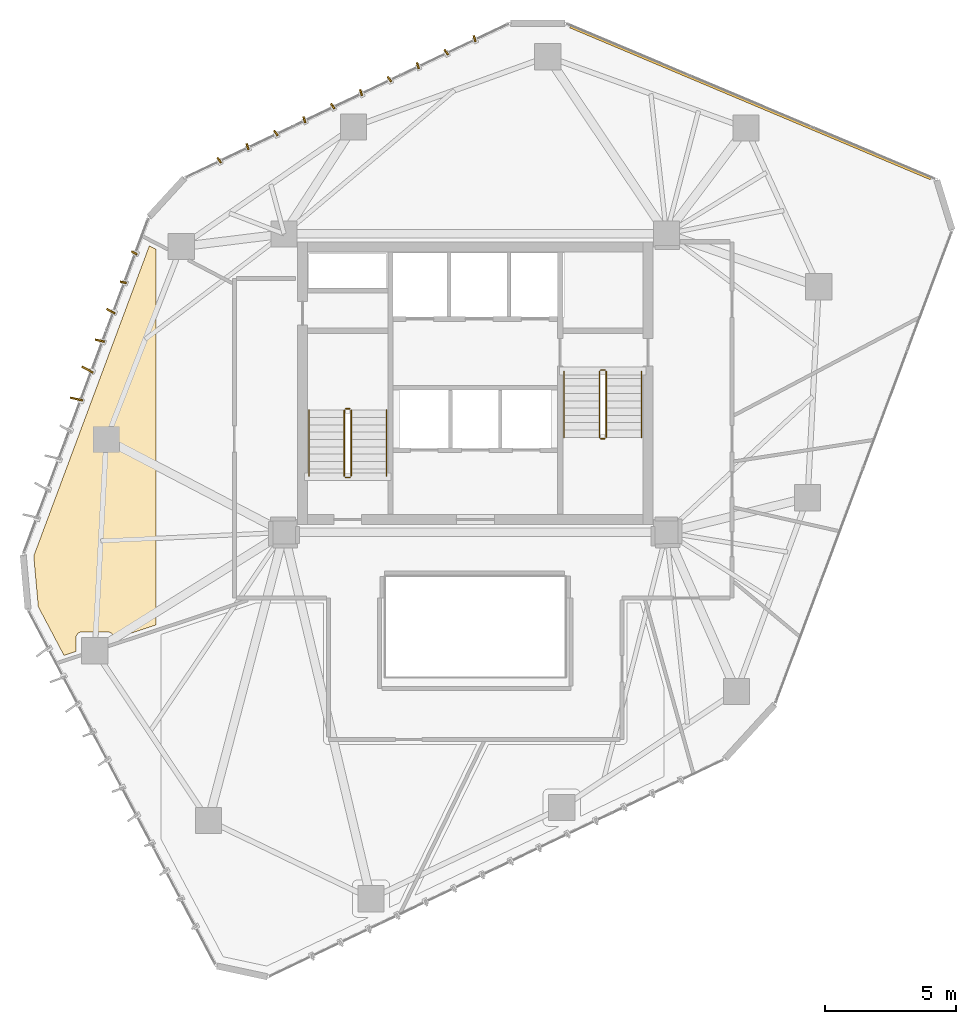
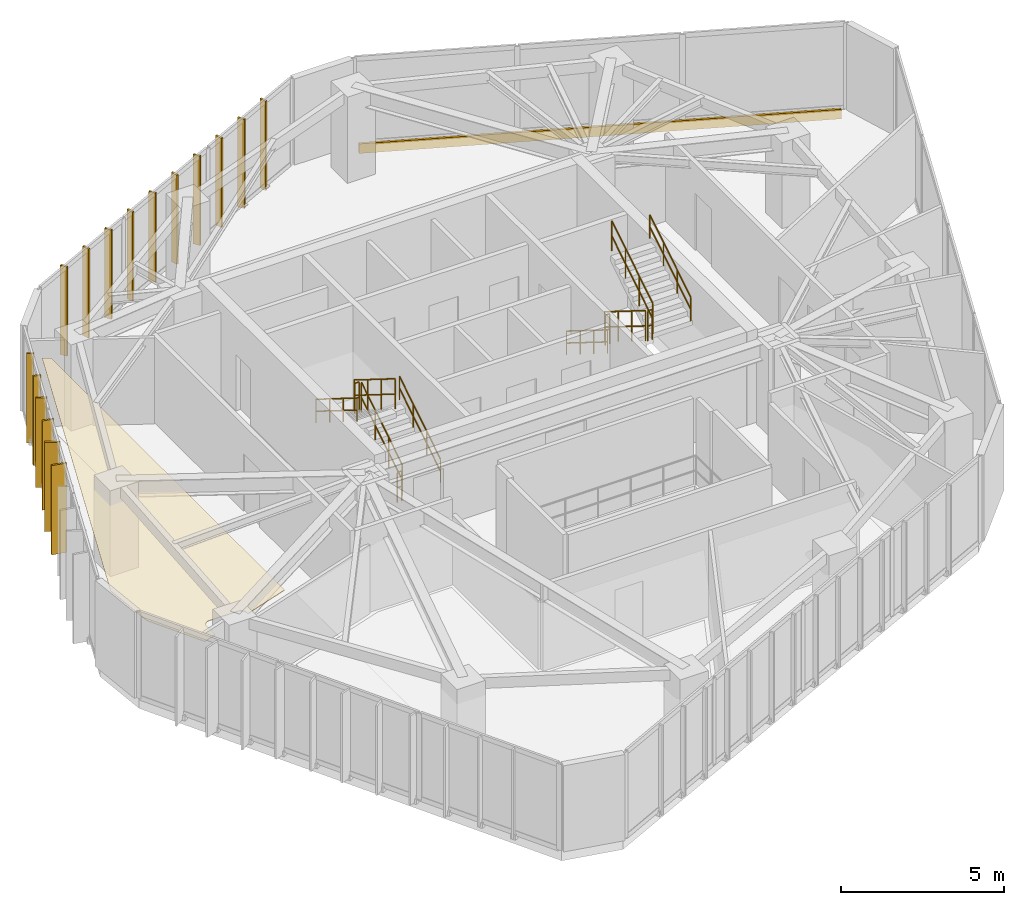
# One storey, part 18 of 18: 16 shading devices, 12 railings, 2 coverings.
"""IFC4 building model written with IfcOpenShell, lengths in metres."""

from ifc_helpers import new_model, si_unit, direction, frame, origin, origin_2d, place, context, subcontext, project, spatial, polyline, rectangle, circle, outline, extrude, source, transform, mapped, material, layer, layer_set, type_object, type_shapes, element, save


model = new_model("IFC4")

# Units and contexts
model_context = context("Model", 3, precision=1e-05, world=origin(), true_north=direction((0.0, 1.0)))
body_context = subcontext(model_context, "Body", "Model", "MODEL_VIEW")
ifc_project = project(units=[si_unit("LENGTHUNIT", "METRE"), si_unit("AREAUNIT", "SQUARE_METRE"), si_unit("VOLUMEUNIT", "CUBIC_METRE"), si_unit("PLANEANGLEUNIT", "RADIAN"), si_unit("MASSUNIT", "GRAM", prefix="KILO")], contexts=[model_context])

# Site, building, storey
site_placement = place(None, origin())
site = spatial("IfcSite", under=ifc_project, at=site_placement, CompositionType="ELEMENT")
building_placement = place(site_placement, origin())
building = spatial("IfcBuilding", under=site, at=building_placement, Name="Talar Marvaseh", CompositionType="ELEMENT")
storey_placement = place(building_placement, frame((0.0, 0.0, 167.0)))
storey = spatial("IfcBuildingStorey", under=building, at=storey_placement, Name="L43", CompositionType="ELEMENT", Elevation=167.0)

# Railings
ifc_material_1 = material(Name="Stainless Steel Grade 316", Category="steel")
railing_type_1 = type_object("IfcRailingType", Name="Brushed Stainless Wall Pitch Handrail 900", PredefinedType="HANDRAIL", material=ifc_material_1)
railing_1_placement = place(storey_placement, frame((22.610107421875, 27.64990234375, 0.175048828125)))
element("IfcRailing", 1, at=railing_1_placement, inside=storey, type_object=railing_type_1, Name="L43 ST-1 stair handrail 1", PredefinedType="HANDRAIL", context=body_context, shape_type="SweptSolid", body=[
    extrude(circle(Radius=0.02392578125, at=origin_2d()), frame((0.0, 0.0, 0.8759765625), z_axis=(0.0, 0.848007534815, 0.529984170421), x_axis=(-1.0, 0.0, 0.0)), (0.0, 0.0, 1.0), 2.9716796875),
    extrude(circle(Radius=0.02392578125, at=origin_2d()), frame((0.0, 0.0, 0.42578125), z_axis=(0.0, 0.848007534815, 0.529984170421), x_axis=(-1.0, 0.0, 0.0)), (0.0, 0.0, 1.0), 2.9716796875),
    extrude(circle(Radius=0.02099609375, at=origin_2d()), origin(), (0.0, 0.0, 1.0), 0.851806640625),
    extrude(circle(Radius=0.02099609375, at=origin_2d()), frame((0.0, 0.840087890625, 0.52490234375)), (0.0, 0.0, 1.0), 0.851806640625),
    extrude(circle(Radius=0.02099609375, at=origin_2d()), frame((0.0, 1.679931640625, 1.050048828125)), (0.0, 0.0, 1.0), 0.851806640625),
    extrude(circle(Radius=0.02099609375, at=origin_2d()), frame((0.0, 2.52001953125, 1.574951171875)), (0.0, 0.0, 1.0), 0.851806640625),
])
for number, where, name in (
    (2, (19.64990234375, 30.169921875, 1.925048828125), "L43 ST-1 stair handrail 2"),
    (3, (29.389892578125, 31.64990234375, 0.175048828125), "L43 ST-2 stair handrail 1"),
):
    element("IfcRailing", number, at=place(storey_placement, frame(where)), inside=storey, type_object=railing_type_1, Name=name, PredefinedType="HANDRAIL", context=body_context, shape_type="SweptSolid", body=[
        extrude(circle(Radius=0.02392578125, at=origin_2d()), frame((0.0, 0.0, 0.8759765625), z_axis=(0.0, -0.848007534815, 0.529984170421), x_axis=(1.0, 0.0, 0.0)), (0.0, 0.0, 1.0), 2.9716796875),
        extrude(circle(Radius=0.02392578125, at=origin_2d()), frame((0.0, 0.0, 0.42578125), z_axis=(0.0, -0.848007534815, 0.529984170421), x_axis=(1.0, 0.0, 0.0)), (0.0, 0.0, 1.0), 2.9716796875),
        extrude(circle(Radius=0.02099609375, at=origin_2d()), origin(), (0.0, 0.0, 1.0), 0.851806640625),
        extrude(circle(Radius=0.02099609375, at=origin_2d()), frame((0.0, -0.840087890625, 0.52490234375)), (0.0, 0.0, 1.0), 0.851806640625),
        extrude(circle(Radius=0.02099609375, at=origin_2d()), frame((0.0, -1.679931640625, 1.050048828125)), (0.0, 0.0, 1.0), 0.851806640625),
        extrude(circle(Radius=0.02099609375, at=origin_2d()), frame((0.0, -2.52001953125, 1.574951171875)), (0.0, 0.0, 1.0), 0.851806640625),
    ])
railing_2_placement = place(storey_placement, frame((32.35009765625, 29.1298828125, 1.925048828125)))
element("IfcRailing", 4, at=railing_2_placement, inside=storey, type_object=railing_type_1, Name="L43 ST-2 stair handrail 2", PredefinedType="HANDRAIL", context=body_context, shape_type="SweptSolid", body=[
    extrude(circle(Radius=0.02392578125, at=origin_2d()), frame((0.0, 0.0, 0.8759765625), z_axis=(0.0, 0.848007534815, 0.529984170421), x_axis=(-1.0, 0.0, 0.0)), (0.0, 0.0, 1.0), 2.9716796875),
    extrude(circle(Radius=0.02392578125, at=origin_2d()), frame((0.0, 0.0, 0.42578125), z_axis=(0.0, 0.848007534815, 0.529984170421), x_axis=(-1.0, 0.0, 0.0)), (0.0, 0.0, 1.0), 2.9716796875),
    extrude(circle(Radius=0.02099609375, at=origin_2d()), origin(), (0.0, 0.0, 1.0), 0.851806640625),
    extrude(circle(Radius=0.02099609375, at=origin_2d()), frame((0.0, 0.840087890625, 0.52490234375)), (0.0, 0.0, 1.0), 0.851806640625),
    extrude(circle(Radius=0.02099609375, at=origin_2d()), frame((0.0, 1.679931640625, 1.050048828125)), (0.0, 0.0, 1.0), 0.851806640625),
    extrude(circle(Radius=0.02099609375, at=origin_2d()), frame((0.0, 2.52001953125, 1.574951171875)), (0.0, 0.0, 1.0), 0.851806640625),
])
railing_type_2 = type_object("IfcRailingType", Name="Painted Steel Core Stair Well Guardrail 1150", PredefinedType="GUARDRAIL", material=ifc_material_1)
railing_3_placement = place(storey_placement, frame((21.260009765625, 27.64990234375, 0.175048828125)))
element("IfcRailing", 5, at=railing_3_placement, inside=storey, type_object=railing_type_2, Name="L43 ST-1 stair guard 1", PredefinedType="GUARDRAIL", context=body_context, shape_type="SweptSolid", body=[
    extrude(circle(Radius=0.02392578125, at=origin_2d()), frame((0.0, 0.0, 1.1259765625), z_axis=(0.0, 0.848007534815, 0.529984170421), x_axis=(-1.0, 0.0, 0.0)), (0.0, 0.0, 1.0), 2.9716796875),
    extrude(circle(Radius=0.02392578125, at=origin_2d()), frame((0.0, 0.0, 0.55078125), z_axis=(0.0, 0.848007534815, 0.529984170421), x_axis=(-1.0, 0.0, 0.0)), (0.0, 0.0, 1.0), 2.9716796875),
    extrude(circle(Radius=0.02099609375, at=origin_2d()), origin(), (0.0, 0.0, 1.0), 1.101806640625),
    extrude(circle(Radius=0.02099609375, at=origin_2d()), frame((0.0, 0.840087890625, 0.52490234375)), (0.0, 0.0, 1.0), 1.101806640625),
    extrude(circle(Radius=0.02099609375, at=origin_2d()), frame((0.0, 1.679931640625, 1.050048828125)), (0.0, 0.0, 1.0), 1.101806640625),
    extrude(circle(Radius=0.02099609375, at=origin_2d()), frame((0.0, 2.52001953125, 1.574951171875)), (0.0, 0.0, 1.0), 1.101806640625),
])
railing_4_placement = place(storey_placement, frame((21.2099609375, 30.219970703125, 1.75)))
element("IfcRailing", 6, at=railing_4_placement, inside=storey, type_object=railing_type_2, Name="L43 ST-1 stair guard 2", PredefinedType="GUARDRAIL", context=body_context, shape_type="SweptSolid", body=[
    extrude(circle(Radius=0.02392578125, at=origin_2d()), frame((0.0, 0.0, 1.1259765625), z_axis=(-1.0, 0.0, 0.0), x_axis=(0.0, -1.0, 0.0)), (0.0, 0.0, 1.0), 0.159912109375),
    extrude(circle(Radius=0.02392578125, at=origin_2d()), frame((0.0, 0.0, 0.55078125), z_axis=(-1.0, 0.0, 0.0), x_axis=(0.0, -1.0, 0.0)), (0.0, 0.0, 1.0), 0.159912109375),
    extrude(circle(Radius=0.02099609375, at=origin_2d()), origin(), (0.0, 0.0, 1.0), 1.101806640625),
    extrude(circle(Radius=0.02099609375, at=origin_2d()), frame((-0.159912109375, 0.0, 0.0)), (0.0, 0.0, 1.0), 1.101806640625),
])
railing_5_placement = place(storey_placement, frame((21.0, 30.169921875, 1.925048828125)))
element("IfcRailing", 7, at=railing_5_placement, inside=storey, type_object=railing_type_2, Name="L43 ST-1 stair guard 3", PredefinedType="GUARDRAIL", context=body_context, shape_type="SweptSolid", body=[
    extrude(circle(Radius=0.02392578125, at=origin_2d()), frame((0.0, 0.0, 1.1259765625), z_axis=(0.0, -0.848007534815, 0.529984170421), x_axis=(1.0, 0.0, 0.0)), (0.0, 0.0, 1.0), 2.9716796875),
    extrude(circle(Radius=0.02392578125, at=origin_2d()), frame((0.0, 0.0, 0.55078125), z_axis=(0.0, -0.848007534815, 0.529984170421), x_axis=(1.0, 0.0, 0.0)), (0.0, 0.0, 1.0), 2.9716796875),
    extrude(circle(Radius=0.02099609375, at=origin_2d()), origin(), (0.0, 0.0, 1.0), 1.101806640625),
    extrude(circle(Radius=0.02099609375, at=origin_2d()), frame((0.0, -0.840087890625, 0.52490234375)), (0.0, 0.0, 1.0), 1.101806640625),
    extrude(circle(Radius=0.02099609375, at=origin_2d()), frame((0.0, -1.679931640625, 1.050048828125)), (0.0, 0.0, 1.0), 1.101806640625),
    extrude(circle(Radius=0.02099609375, at=origin_2d()), frame((0.0, -2.52001953125, 1.574951171875)), (0.0, 0.0, 1.0), 1.101806640625),
])
railing_6_placement = place(storey_placement, frame((21.2099609375, 27.60009765625, 0.0)))
element("IfcRailing", 8, at=railing_6_placement, inside=storey, type_object=railing_type_2, Name="L43 ST-1 stair guard 4", PredefinedType="GUARDRAIL", context=body_context, shape_type="SweptSolid", body=[
    extrude(circle(Radius=0.02392578125, at=origin_2d()), frame((0.0, 0.0, 1.1259765625), z_axis=(-1.0, 0.0, 0.0), x_axis=(0.0, -1.0, 0.0)), (0.0, 0.0, 1.0), 0.159912109375),
    extrude(circle(Radius=0.02392578125, at=origin_2d()), frame((0.0, 0.0, 0.55078125), z_axis=(-1.0, 0.0, 0.0), x_axis=(0.0, -1.0, 0.0)), (0.0, 0.0, 1.0), 0.159912109375),
    extrude(circle(Radius=0.02099609375, at=origin_2d()), origin(), (0.0, 0.0, 1.0), 1.101806640625),
    extrude(circle(Radius=0.02099609375, at=origin_2d()), frame((-0.159912109375, 0.0, 0.0)), (0.0, 0.0, 1.0), 1.101806640625),
])
railing_7_placement = place(storey_placement, frame((30.739990234375, 31.64990234375, 0.175048828125)))
element("IfcRailing", 9, at=railing_7_placement, inside=storey, type_object=railing_type_2, Name="L43 ST-2 stair guard 1", PredefinedType="GUARDRAIL", context=body_context, shape_type="SweptSolid", body=[
    extrude(circle(Radius=0.02392578125, at=origin_2d()), frame((0.0, 0.0, 1.1259765625), z_axis=(0.0, -0.848007534815, 0.529984170421), x_axis=(1.0, 0.0, 0.0)), (0.0, 0.0, 1.0), 2.9716796875),
    extrude(circle(Radius=0.02392578125, at=origin_2d()), frame((0.0, 0.0, 0.55078125), z_axis=(0.0, -0.848007534815, 0.529984170421), x_axis=(1.0, 0.0, 0.0)), (0.0, 0.0, 1.0), 2.9716796875),
    extrude(circle(Radius=0.02099609375, at=origin_2d()), origin(), (0.0, 0.0, 1.0), 1.101806640625),
    extrude(circle(Radius=0.02099609375, at=origin_2d()), frame((0.0, -0.840087890625, 0.52490234375)), (0.0, 0.0, 1.0), 1.101806640625),
    extrude(circle(Radius=0.02099609375, at=origin_2d()), frame((0.0, -1.679931640625, 1.050048828125)), (0.0, 0.0, 1.0), 1.101806640625),
    extrude(circle(Radius=0.02099609375, at=origin_2d()), frame((0.0, -2.52001953125, 1.574951171875)), (0.0, 0.0, 1.0), 1.101806640625),
])
railing_8_placement = place(storey_placement, frame((30.7900390625, 29.080078125, 1.75)))
element("IfcRailing", 10, at=railing_8_placement, inside=storey, type_object=railing_type_2, Name="L43 ST-2 stair guard 2", PredefinedType="GUARDRAIL", context=body_context, shape_type="SweptSolid", body=[
    extrude(circle(Radius=0.02392578125, at=origin_2d()), frame((0.0, 0.0, 1.1259765625), z_axis=(1.0, 0.0, 0.0), x_axis=(0.0, 1.0, 0.0)), (0.0, 0.0, 1.0), 0.159912109375),
    extrude(circle(Radius=0.02392578125, at=origin_2d()), frame((0.0, 0.0, 0.55078125), z_axis=(1.0, 0.0, 0.0), x_axis=(0.0, 1.0, 0.0)), (0.0, 0.0, 1.0), 0.159912109375),
    extrude(circle(Radius=0.02099609375, at=origin_2d()), origin(), (0.0, 0.0, 1.0), 1.101806640625),
    extrude(circle(Radius=0.02099609375, at=origin_2d()), frame((0.159912109375, 0.0, 0.0)), (0.0, 0.0, 1.0), 1.101806640625),
])
railing_9_placement = place(storey_placement, frame((31.0, 29.1298828125, 1.925048828125)))
element("IfcRailing", 11, at=railing_9_placement, inside=storey, type_object=railing_type_2, Name="L43 ST-2 stair guard 3", PredefinedType="GUARDRAIL", context=body_context, shape_type="SweptSolid", body=[
    extrude(circle(Radius=0.02392578125, at=origin_2d()), frame((0.0, 0.0, 1.1259765625), z_axis=(0.0, 0.848007534815, 0.529984170421), x_axis=(-1.0, 0.0, 0.0)), (0.0, 0.0, 1.0), 2.9716796875),
    extrude(circle(Radius=0.02392578125, at=origin_2d()), frame((0.0, 0.0, 0.55078125), z_axis=(0.0, 0.848007534815, 0.529984170421), x_axis=(-1.0, 0.0, 0.0)), (0.0, 0.0, 1.0), 2.9716796875),
    extrude(circle(Radius=0.02099609375, at=origin_2d()), origin(), (0.0, 0.0, 1.0), 1.101806640625),
    extrude(circle(Radius=0.02099609375, at=origin_2d()), frame((0.0, 0.840087890625, 0.52490234375)), (0.0, 0.0, 1.0), 1.101806640625),
    extrude(circle(Radius=0.02099609375, at=origin_2d()), frame((0.0, 1.679931640625, 1.050048828125)), (0.0, 0.0, 1.0), 1.101806640625),
    extrude(circle(Radius=0.02099609375, at=origin_2d()), frame((0.0, 2.52001953125, 1.574951171875)), (0.0, 0.0, 1.0), 1.101806640625),
])
railing_10_placement = place(storey_placement, frame((30.7900390625, 31.699951171875, 0.0)))
element("IfcRailing", 12, at=railing_10_placement, inside=storey, type_object=railing_type_2, Name="L43 ST-2 stair guard 4", PredefinedType="GUARDRAIL", context=body_context, shape_type="SweptSolid", body=[
    extrude(circle(Radius=0.02392578125, at=origin_2d()), frame((0.0, 0.0, 1.1259765625), z_axis=(1.0, 0.0, 0.0), x_axis=(0.0, 1.0, 0.0)), (0.0, 0.0, 1.0), 0.159912109375),
    extrude(circle(Radius=0.02392578125, at=origin_2d()), frame((0.0, 0.0, 0.55078125), z_axis=(1.0, 0.0, 0.0), x_axis=(0.0, 1.0, 0.0)), (0.0, 0.0, 1.0), 0.159912109375),
    extrude(circle(Radius=0.02099609375, at=origin_2d()), origin(), (0.0, 0.0, 1.0), 1.101806640625),
    extrude(circle(Radius=0.02099609375, at=origin_2d()), frame((0.159912109375, 0.0, 0.0)), (0.0, 0.0, 1.0), 1.101806640625),
])

# Covering
ifc_material_2 = material(Name="Mineral Fibre Acoustic Ceiling")
ifc_layer_1 = layer(ifc_material_2, 0.02490234375)
ifc_layer_set_1 = layer_set([ifc_layer_1], Name="Mineral Fibre Acoustic Ceiling")
covering_type_1 = type_object("IfcCoveringType", Name="Perforated Mineral Fibre Acoustic Suspended Ceiling", PredefinedType="CEILING", material=ifc_layer_set_1)
covering_1_placement = place(storey_placement, frame((0.0, 0.0, 2.64990234375)))
element("IfcCovering", 13, at=covering_1_placement, inside=storey, type_object=covering_type_1, Name="L43 Archival Facsimile Boutique Acoustic Ceiling", PredefinedType="CEILING", context=body_context, shape_type="SweptSolid", body=[
    extrude(outline(polyline([(13.800048828125, 36.31884765625), (13.800048828125, 21.96533203125), (12.18701171875, 21.432861328125), (12.18701171875, 21.486083984375), (12.185791015625, 21.507080078125), (12.1826171875, 21.528076171875), (12.177001953125, 21.54833984375), (12.16943359375, 21.568115234375), (12.15966796875, 21.5869140625), (12.148193359375, 21.6044921875), (12.137451171875, 21.618896484375), (12.125732421875, 21.633544921875), (12.112548828125, 21.64697265625), (12.098388671875, 21.658935546875), (12.0830078125, 21.669677734375), (12.066650390625, 21.678955078125), (12.049560546875, 21.6865234375), (12.03173828125, 21.692626953125), (12.013671875, 21.697021484375), (11.9951171875, 21.699462890625), (11.976318359375, 21.700439453125), (10.967529296875, 21.700439453125), (10.948974609375, 21.699462890625), (10.930419921875, 21.697021484375), (10.912109375, 21.692626953125), (10.894287109375, 21.6865234375), (10.87744140625, 21.678955078125), (10.861083984375, 21.669677734375), (10.845703125, 21.658935546875), (10.831298828125, 21.64697265625), (10.818359375, 21.633544921875), (10.806396484375, 21.618896484375), (10.7958984375, 21.6044921875), (10.7841796875, 21.5869140625), (10.774658203125, 21.568115234375), (10.76708984375, 21.54833984375), (10.761474609375, 21.528076171875), (10.758056640625, 21.507080078125), (10.757080078125, 21.486083984375), (10.757080078125, 20.960693359375), (10.29541015625, 20.80810546875), (9.31494140625, 22.6640625), (9.141357421875, 24.599609375), (13.5546875, 36.4462890625), (13.800048828125, 36.31884765625)])), origin(), (0.0, 0.0, 1.0), 0.025146484375),
])

# Shading devices
ifc_material_3 = material(Name="Anodised Champagne Bronze Aluminium", Category="aluminium")
ifc_layer_2 = layer(ifc_material_3, 0.06494140625)
ifc_layer_set_2 = layer_set([ifc_layer_2], Name="Anodised Champagne Bronze Aluminium")
shading_device_type_1 = type_object("IfcShadingDeviceType", Name="Sawtooth Champagne Bronze Vertical Fin 240", PredefinedType="USERDEFINED", material=ifc_layer_set_2)
shared_shape_1 = source(origin(), body_context, "Body", "SweptSolid", [
    extrude(rectangle(XDim=0.239990234375, YDim=0.06494140625, at=origin_2d()), origin(), (0.0, 0.0, 1.0), 3.35009765625),
])
type_shapes(shading_device_type_1, [shared_shape_1])
for number, where, z_axis, x_axis, name in (
    (14, (12.560546875, 35.05224609375, -0.1201171875), (0.0, 0.0, 1.0), (-0.976559709305, 0.215246682117, 0.0), "L43 Sawtooth Vertical Solar Fin"),
    (15, (12.9794921875, 36.1767578125, -0.1201171875), (0.0, 0.0, 1.0), (-0.879399416044, 0.476084726767, 0.0), "L43 Sawtooth Vertical Solar Fin"),
    (16, (16.221435546875, 39.71484375, -0.1201171875), (0.0, 0.0, 1.0), (-0.550917789925, 0.834559517796, 0.0), "L43 Sawtooth Vertical Solar Fin"),
    (17, (17.30517578125, 40.230224609375, -0.1201171875), (0.0, 0.0, 1.0), (-0.299540390309, 0.954083620326, 0.0), "L43 Sawtooth Vertical Solar Fin"),
    (18, (18.388916015625, 40.74560546875, -0.1201171875), (0.0, 0.0, 1.0), (-0.550917789925, 0.834559517796, 0.0), "L43 Sawtooth Vertical Solar Fin"),
    (19, (19.47265625, 41.2607421875, -0.1201171875), (0.0, 0.0, 1.0), (-0.299540390309, 0.954083620326, 0.0), "L43 Sawtooth Vertical Solar Fin"),
    (20, (20.556396484375, 41.776123046875, -0.1201171875), (0.0, 0.0, 1.0), (-0.550917789925, 0.834559517796, 0.0), "L43 Sawtooth Vertical Solar Fin"),
    (21, (21.64013671875, 42.29150390625, -0.1201171875), (0.0, 0.0, 1.0), (-0.299540390309, 0.954083620326, 0.0), "L43 Sawtooth Vertical Solar Fin"),
    (22, (22.723876953125, 42.806884765625, -0.1201171875), (0.0, 0.0, 1.0), (-0.550917789925, 0.834559517796, 0.0), "L43 Sawtooth Vertical Solar Fin"),
    (23, (23.8076171875, 43.322265625, -0.1201171875), (0.0, 0.0, 1.0), (-0.299540390309, 0.954083620326, 0.0), "L43 Sawtooth Vertical Solar Fin"),
    (24, (24.89111328125, 43.83740234375, -0.1201171875), (0.0, 0.0, 1.0), (-0.550917789925, 0.834559517796, 0.0), "L43 Sawtooth Vertical Solar Fin"),
    (25, (25.974853515625, 44.352783203125, -0.1201171875), (0.0, 0.0, 1.0), (-0.299540390309, 0.954083620326, 0.0), "L43 Sawtooth Vertical Solar Fin"),
):
    element("IfcShadingDevice", number, at=place(storey_placement, frame(where, z_axis=z_axis, x_axis=x_axis)), inside=storey, type_object=shading_device_type_1, Name=name, ObjectType="FIN", PredefinedType="USERDEFINED", context=body_context, shape_type="MappedRepresentation", body=[
        mapped(shared_shape_1, transform((0.0, 0.0, 0.0), x_axis=(1.0, 0.0, 0.0), y_axis=(0.0, 1.0, 0.0), z_axis=(0.0, 0.0, 1.0), scale=1.0)),
    ])
ifc_layer_3 = layer(ifc_material_3, 0.06494140625)
ifc_layer_set_3 = layer_set([ifc_layer_3], Name="Anodised Champagne Bronze Aluminium")
shading_device_type_2 = type_object("IfcShadingDeviceType", Name="Sawtooth Champagne Bronze Vertical Fin 360", PredefinedType="USERDEFINED", material=ifc_layer_set_3)
shared_shape_2 = source(origin(), body_context, "Body", "SweptSolid", [
    extrude(rectangle(XDim=0.360107421875, YDim=0.06494140625, at=origin_2d()), origin(), (0.0, 0.0, 1.0), 3.35009765625),
])
type_shapes(shading_device_type_2, [shared_shape_2])
for number, where, z_axis, x_axis, name in (
    (26, (11.66650390625, 32.82421875, -0.1201171875), (0.0, 0.0, 1.0), (-0.976559709305, 0.215246682117, 0.0), "L43 Sawtooth Vertical Solar Fin"),
    (27, (12.085205078125, 33.94873046875, -0.1201171875), (0.0, 0.0, 1.0), (-0.879399416044, 0.476084726767, 0.0), "L43 Sawtooth Vertical Solar Fin"),
):
    element("IfcShadingDevice", number, at=place(storey_placement, frame(where, z_axis=z_axis, x_axis=x_axis)), inside=storey, type_object=shading_device_type_2, Name=name, ObjectType="FIN", PredefinedType="USERDEFINED", context=body_context, shape_type="MappedRepresentation", body=[
        mapped(shared_shape_2, transform((0.0, 0.0, 0.0), x_axis=(1.0, 0.0, 0.0), y_axis=(0.0, 1.0, 0.0), z_axis=(0.0, 0.0, 1.0), scale=1.0)),
    ])
ifc_layer_4 = layer(ifc_material_3, 0.06494140625)
ifc_layer_set_4 = layer_set([ifc_layer_4], Name="Anodised Champagne Bronze Aluminium")
shading_device_type_3 = type_object("IfcShadingDeviceType", Name="Sawtooth Champagne Bronze Vertical Fin 480", PredefinedType="USERDEFINED", material=ifc_layer_set_4)
shared_shape_3 = source(origin(), body_context, "Body", "SweptSolid", [
    extrude(rectangle(XDim=0.47998046875, YDim=0.06494140625, at=origin_2d()), origin(), (0.0, 0.0, 1.0), 3.35009765625),
])
type_shapes(shading_device_type_3, [shared_shape_3])
for number, where, z_axis, x_axis, name in (
    (28, (10.772216796875, 30.59619140625, -0.1201171875), (0.0, 0.0, 1.0), (-0.976559709305, 0.215246682117, 0.0), "L43 Sawtooth Vertical Solar Fin"),
    (29, (11.19140625, 31.720703125, -0.1201171875), (0.0, 0.0, 1.0), (-0.879399416044, 0.476084726767, 0.0), "L43 Sawtooth Vertical Solar Fin"),
):
    element("IfcShadingDevice", number, at=place(storey_placement, frame(where, z_axis=z_axis, x_axis=x_axis)), inside=storey, type_object=shading_device_type_3, Name=name, ObjectType="FIN", PredefinedType="USERDEFINED", context=body_context, shape_type="MappedRepresentation", body=[
        mapped(shared_shape_3, transform((0.0, 0.0, 0.0), x_axis=(1.0, 0.0, 0.0), y_axis=(0.0, 1.0, 0.0), z_axis=(0.0, 0.0, 1.0), scale=1.0)),
    ])

# Covering
ifc_material_4 = material(Name="Precast concrete C45/55", Category="concrete")
ifc_layer_5 = layer(ifc_material_4, 0.080078125)
ifc_layer_set_5 = layer_set([ifc_layer_5], Name="Precast concrete C45/55")
covering_type_2 = type_object("IfcCoveringType", Name="Precast Limestone Spandrel Cladding Band", PredefinedType="CLADDING", material=ifc_layer_set_5)
shared_shape_4 = source(origin(), body_context, "Body", "SweptSolid", [
    extrude(rectangle(XDim=14.93896484375, YDim=0.080078125, at=origin_2d()), origin(), (0.0, 0.0, 1.0), 0.360107421875),
])
type_shapes(covering_type_2, [shared_shape_4])
covering_2_placement = place(storey_placement, frame((36.500244140625, 41.905029296875, -0.31982421875), z_axis=(0.0, 0.0, 1.0), x_axis=(0.921524629468, -0.388319916157, 0.0)))
element("IfcCovering", 30, at=covering_2_placement, inside=storey, type_object=covering_type_2, Name="L43 Precast Limestone Slab-Edge Spandrel Band", PredefinedType="CLADDING", context=body_context, shape_type="MappedRepresentation", body=[
    mapped(shared_shape_4, transform((0.0, 0.0, 0.0), x_axis=(1.0, 0.0, 0.0), y_axis=(0.0, 1.0, 0.0), z_axis=(0.0, 0.0, 1.0), scale=1.0)),
])

save(model, "model.ifc")
